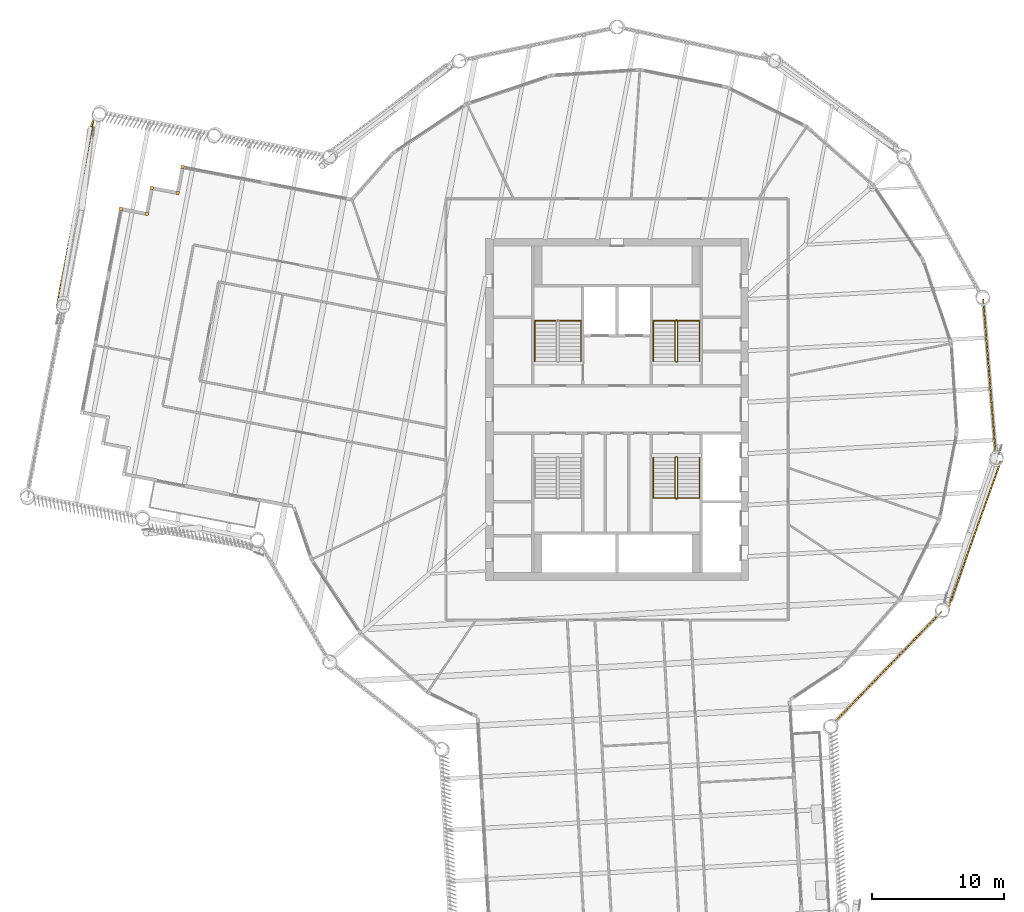
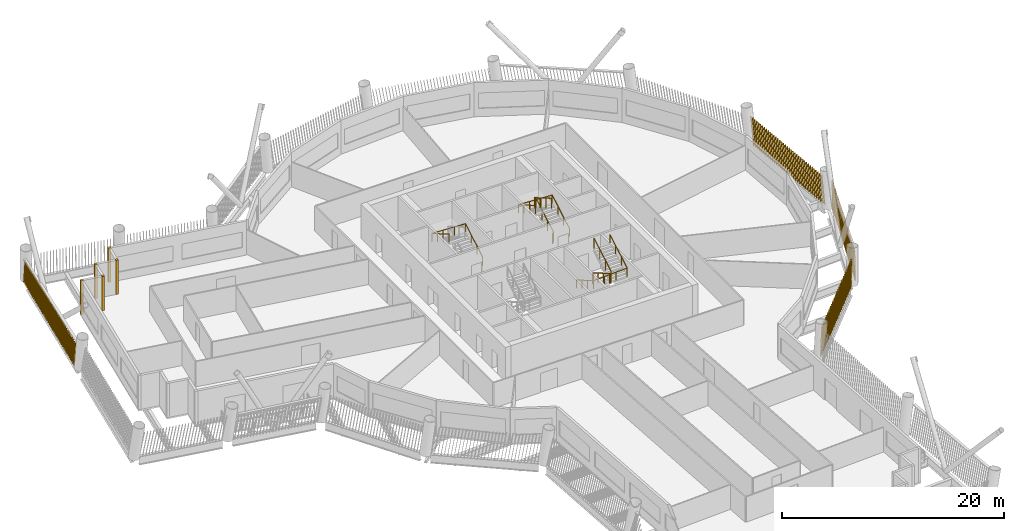
# One storey, part 21 of 23: 9 shading devices, 5 railings.
"""IFC4 building model written with IfcOpenShell, lengths in metres."""

from ifc_helpers import new_model, si_unit, direction, frame, frame_2d, origin, origin_2d, place, context, subcontext, project, spatial, rectangle, circle, composite_profile, extrude, material, type_object, element, save


model = new_model("IFC4")

# Units and contexts
model_context = context("Model", 3, precision=1e-05, world=origin(), true_north=direction((0.0, 1.0)))
body_context = subcontext(model_context, "Body", "Model", "MODEL_VIEW")
ifc_project = project(units=[si_unit("LENGTHUNIT", "METRE"), si_unit("AREAUNIT", "SQUARE_METRE"), si_unit("VOLUMEUNIT", "CUBIC_METRE"), si_unit("PLANEANGLEUNIT", "RADIAN"), si_unit("MASSUNIT", "GRAM", prefix="KILO")], contexts=[model_context])

# Site, building, storey
site_placement = place(None, origin())
site = spatial("IfcSite", under=ifc_project, at=site_placement, CompositionType="ELEMENT")
building_placement = place(site_placement, origin())
building = spatial("IfcBuilding", under=site, at=building_placement, Name="Tarsis Ring Headquarters", CompositionType="ELEMENT")
storey_placement = place(building_placement, frame((0.0, 0.0, 239.39990234375)))
storey = spatial("IfcBuildingStorey", under=building, at=storey_placement, Name="L56", CompositionType="ELEMENT", Elevation=239.39990234375)

# Railings
ifc_material_1 = material(Name="Steel S355", Category="steel")
railing_type_1 = type_object("IfcRailingType", Name="Core stair guard 1100", PredefinedType="GUARDRAIL", material=ifc_material_1)
railing_1_placement = place(storey_placement, frame((4.4599609375, 3.610107421875, 0.0)))
element("IfcRailing", 1, at=railing_1_placement, inside=storey, type_object=railing_type_1, Name="L56 ST2 stair guard 1", PredefinedType="GUARDRAIL", context=body_context, shape_type="SweptSolid", body=[
    extrude(circle(Radius=0.02392578125, at=origin_2d()), frame((0.0, 0.0, 1.076171875), z_axis=(1.0, 0.0, 0.0), x_axis=(0.0, 1.0, 0.0)), (0.0, 0.0, 1.0), 0.080078125),
    extrude(circle(Radius=0.02392578125, at=origin_2d()), frame((0.080078125, 0.0, 1.076171875), z_axis=(0.282336740067, 0.280959487676, 0.917250092119), x_axis=(-0.705375805398, 0.708833529934, 0.0)), (0.0, 0.0, 1.0), 0.17724609375),
    extrude(circle(Radius=0.02392578125, at=origin_2d()), frame((0.130126953125, 0.0498046875, 1.23876953125), z_axis=(0.0, 0.864890721111, 0.501960198159), x_axis=(-1.0, 0.0, 0.0)), (0.0, 0.0, 1.0), 3.561279296875),
    extrude(circle(Radius=0.02392578125, at=origin_2d()), frame((0.130126953125, 3.1298828125, 3.0263671875), z_axis=(-0.707106781187, 0.707106781187, 0.0), x_axis=(-0.707106781187, -0.707106781187, 0.0)), (0.0, 0.0, 1.0), 0.07080078125),
    extrude(circle(Radius=0.02392578125, at=origin_2d()), frame((0.080078125, 3.179931640625, 3.0263671875), z_axis=(-1.0, 0.0, 0.0), x_axis=(0.0, -1.0, 0.0)), (0.0, 0.0, 1.0), 0.080078125),
    extrude(circle(Radius=0.02392578125, at=origin_2d()), frame((0.0, 3.179931640625, 3.0263671875), z_axis=(-0.282583949758, -0.282583949758, 0.916674763849), x_axis=(0.707106781187, -0.707106781187, 0.0)), (0.0, 0.0, 1.0), 0.177001953125),
    extrude(circle(Radius=0.02392578125, at=origin_2d()), frame((-0.050048828125, 3.1298828125, 3.1884765625), z_axis=(0.0, -0.864890721111, 0.501960198159), x_axis=(1.0, 0.0, 0.0)), (0.0, 0.0, 1.0), 3.561279296875),
    extrude(circle(Radius=0.02099609375, at=origin_2d()), origin(), (0.0, 0.0, 1.0), 1.052001953125),
    extrude(circle(Radius=0.02099609375, at=origin_2d()), frame((0.080078125, 0.0, 0.0)), (0.0, 0.0, 1.0), 1.052001953125),
    extrude(circle(Radius=0.02099609375, at=origin_2d()), frame((0.130126953125, 0.0498046875, 0.16259765625)), (0.0, 0.0, 1.0), 1.052001953125),
    extrude(circle(Radius=0.02099609375, at=origin_2d()), frame((0.130126953125, 1.076416015625, 0.758544921875)), (0.0, 0.0, 1.0), 1.052001953125),
    extrude(circle(Radius=0.02099609375, at=origin_2d()), frame((0.130126953125, 2.103271484375, 1.354248046875)), (0.0, 0.0, 1.0), 1.052001953125),
    extrude(circle(Radius=0.02099609375, at=origin_2d()), frame((0.130126953125, 3.1298828125, 1.9501953125)), (0.0, 0.0, 1.0), 1.052001953125),
    extrude(circle(Radius=0.02099609375, at=origin_2d()), frame((0.080078125, 3.179931640625, 1.9501953125)), (0.0, 0.0, 1.0), 1.052001953125),
    extrude(circle(Radius=0.02099609375, at=origin_2d()), frame((0.0, 3.179931640625, 1.9501953125)), (0.0, 0.0, 1.0), 1.052001953125),
    extrude(circle(Radius=0.02099609375, at=origin_2d()), frame((-0.050048828125, 3.1298828125, 2.112548828125)), (0.0, 0.0, 1.0), 1.052001953125),
    extrude(circle(Radius=0.02099609375, at=origin_2d()), frame((-0.050048828125, 2.103271484375, 2.70849609375)), (0.0, 0.0, 1.0), 1.052001953125),
    extrude(circle(Radius=0.02099609375, at=origin_2d()), frame((-0.050048828125, 1.076416015625, 3.30419921875)), (0.0, 0.0, 1.0), 1.052001953125),
    extrude(circle(Radius=0.02099609375, at=origin_2d()), frame((-0.050048828125, 0.0498046875, 3.900146484375)), (0.0, 0.0, 1.0), 1.052001953125),
])
railing_2_placement = place(storey_placement, frame((4.5400390625, -3.610107421875, 0.0)))
element("IfcRailing", 2, at=railing_2_placement, inside=storey, type_object=railing_type_1, Name="L56 ST4 stair guard 1", PredefinedType="GUARDRAIL", context=body_context, shape_type="SweptSolid", body=[
    extrude(circle(Radius=0.02392578125, at=origin_2d()), frame((0.0, 0.0, 1.076171875), z_axis=(-1.0, 0.0, 0.0), x_axis=(0.0, -1.0, 0.0)), (0.0, 0.0, 1.0), 0.080078125),
    extrude(circle(Radius=0.02392578125, at=origin_2d()), frame((-0.080078125, 0.0, 1.076171875), z_axis=(-0.282336740067, -0.280959487676, 0.917250092119), x_axis=(0.705375805398, -0.708833529934, 0.0)), (0.0, 0.0, 1.0), 0.17724609375),
    extrude(circle(Radius=0.02392578125, at=origin_2d()), frame((-0.130126953125, -0.0498046875, 1.23876953125), z_axis=(0.0, -0.864890721111, 0.501960198159), x_axis=(1.0, 0.0, 0.0)), (0.0, 0.0, 1.0), 3.561279296875),
    extrude(circle(Radius=0.02392578125, at=origin_2d()), frame((-0.130126953125, -3.1298828125, 3.0263671875), z_axis=(0.707106781187, -0.707106781187, 0.0), x_axis=(0.707106781187, 0.707106781187, 0.0)), (0.0, 0.0, 1.0), 0.07080078125),
    extrude(circle(Radius=0.02392578125, at=origin_2d()), frame((-0.080078125, -3.179931640625, 3.0263671875), z_axis=(1.0, 0.0, 0.0), x_axis=(0.0, 1.0, 0.0)), (0.0, 0.0, 1.0), 0.080078125),
    extrude(circle(Radius=0.02392578125, at=origin_2d()), frame((0.0, -3.179931640625, 3.0263671875), z_axis=(0.282583949758, 0.282583949758, 0.916674763849), x_axis=(-0.707106781187, 0.707106781187, 0.0)), (0.0, 0.0, 1.0), 0.177001953125),
    extrude(circle(Radius=0.02392578125, at=origin_2d()), frame((0.050048828125, -3.1298828125, 3.1884765625), z_axis=(0.0, 0.864890721111, 0.501960198159), x_axis=(-1.0, 0.0, 0.0)), (0.0, 0.0, 1.0), 3.561279296875),
    extrude(circle(Radius=0.02099609375, at=origin_2d()), origin(), (0.0, 0.0, 1.0), 1.052001953125),
    extrude(circle(Radius=0.02099609375, at=origin_2d()), frame((-0.080078125, 0.0, 0.0)), (0.0, 0.0, 1.0), 1.052001953125),
    extrude(circle(Radius=0.02099609375, at=origin_2d()), frame((-0.130126953125, -0.0498046875, 0.16259765625)), (0.0, 0.0, 1.0), 1.052001953125),
    extrude(circle(Radius=0.02099609375, at=origin_2d()), frame((-0.130126953125, -1.076416015625, 0.758544921875)), (0.0, 0.0, 1.0), 1.052001953125),
    extrude(circle(Radius=0.02099609375, at=origin_2d()), frame((-0.130126953125, -2.103271484375, 1.354248046875)), (0.0, 0.0, 1.0), 1.052001953125),
    extrude(circle(Radius=0.02099609375, at=origin_2d()), frame((-0.130126953125, -3.1298828125, 1.9501953125)), (0.0, 0.0, 1.0), 1.052001953125),
    extrude(circle(Radius=0.02099609375, at=origin_2d()), frame((-0.080078125, -3.179931640625, 1.9501953125)), (0.0, 0.0, 1.0), 1.052001953125),
    extrude(circle(Radius=0.02099609375, at=origin_2d()), frame((0.0, -3.179931640625, 1.9501953125)), (0.0, 0.0, 1.0), 1.052001953125),
    extrude(circle(Radius=0.02099609375, at=origin_2d()), frame((0.050048828125, -3.1298828125, 2.112548828125)), (0.0, 0.0, 1.0), 1.052001953125),
    extrude(circle(Radius=0.02099609375, at=origin_2d()), frame((0.050048828125, -2.103271484375, 2.70849609375)), (0.0, 0.0, 1.0), 1.052001953125),
    extrude(circle(Radius=0.02099609375, at=origin_2d()), frame((0.050048828125, -1.076416015625, 3.30419921875)), (0.0, 0.0, 1.0), 1.052001953125),
    extrude(circle(Radius=0.02099609375, at=origin_2d()), frame((0.050048828125, -0.0498046875, 3.900146484375)), (0.0, 0.0, 1.0), 1.052001953125),
])
railing_type_2 = type_object("IfcRailingType", Name="Core stair handrail 900", PredefinedType="HANDRAIL", material=ifc_material_1)
railing_3_placement = place(storey_placement, frame((-2.75, 3.659912109375, 0.16259765625)))
element("IfcRailing", 3, at=railing_3_placement, inside=storey, type_object=railing_type_2, Name="L56 ST1 stair handrail 1", PredefinedType="HANDRAIL", context=body_context, shape_type="SweptSolid", body=[
    extrude(circle(Radius=0.02392578125, at=origin_2d()), frame((0.0, 0.0, 0.8759765625), z_axis=(0.0, 0.864890721111, 0.501960198159), x_axis=(-1.0, 0.0, 0.0)), (0.0, 0.0, 1.0), 3.561279296875),
    extrude(circle(Radius=0.02392578125, at=origin_2d()), frame((0.0, 3.080078125, 2.66357421875), z_axis=(-0.998925869279, 0.0, 0.04633689335), x_axis=(0.0, -1.0, 0.0)), (0.0, 0.0, 1.0), 3.503662109375),
    extrude(circle(Radius=0.02392578125, at=origin_2d()), frame((-3.5, 3.080078125, 2.82568359375), z_axis=(0.0, -0.864890721111, 0.501960198159), x_axis=(1.0, 0.0, 0.0)), (0.0, 0.0, 1.0), 3.561279296875),
    extrude(circle(Radius=0.02099609375, at=origin_2d()), origin(), (0.0, 0.0, 1.0), 0.851806640625),
    extrude(circle(Radius=0.02099609375, at=origin_2d()), frame((0.0, 1.026611328125, 0.595947265625)), (0.0, 0.0, 1.0), 0.851806640625),
    extrude(circle(Radius=0.02099609375, at=origin_2d()), frame((0.0, 2.053466796875, 1.191650390625)), (0.0, 0.0, 1.0), 0.851806640625),
    extrude(circle(Radius=0.02099609375, at=origin_2d()), frame((0.0, 3.080078125, 1.78759765625)), (0.0, 0.0, 1.0), 0.851806640625),
    extrude(circle(Radius=0.02099609375, at=origin_2d()), frame((-1.166748046875, 3.080078125, 1.841796875)), (0.0, 0.0, 1.0), 0.851806640625),
    extrude(circle(Radius=0.02099609375, at=origin_2d()), frame((-2.333251953125, 3.080078125, 1.895751953125)), (0.0, 0.0, 1.0), 0.851806640625),
    extrude(circle(Radius=0.02099609375, at=origin_2d()), frame((-3.5, 3.080078125, 1.949951171875)), (0.0, 0.0, 1.0), 0.851806640625),
    extrude(circle(Radius=0.02099609375, at=origin_2d()), frame((-3.5, 2.053466796875, 2.5458984375)), (0.0, 0.0, 1.0), 0.851806640625),
    extrude(circle(Radius=0.02099609375, at=origin_2d()), frame((-3.5, 1.026611328125, 3.1416015625)), (0.0, 0.0, 1.0), 0.851806640625),
    extrude(circle(Radius=0.02099609375, at=origin_2d()), frame((-3.5, 0.0, 3.737548828125)), (0.0, 0.0, 1.0), 0.851806640625),
])
railing_4_placement = place(storey_placement, frame((6.25, 3.659912109375, 0.16259765625)))
element("IfcRailing", 4, at=railing_4_placement, inside=storey, type_object=railing_type_2, Name="L56 ST2 stair handrail 1", PredefinedType="HANDRAIL", context=body_context, shape_type="SweptSolid", body=[
    extrude(circle(Radius=0.02392578125, at=origin_2d()), frame((0.0, 0.0, 0.8759765625), z_axis=(0.0, 0.864890721111, 0.501960198159), x_axis=(-1.0, 0.0, 0.0)), (0.0, 0.0, 1.0), 3.561279296875),
    extrude(circle(Radius=0.02392578125, at=origin_2d()), frame((0.0, 3.080078125, 2.66357421875), z_axis=(-0.998925869279, 0.0, 0.04633689335), x_axis=(0.0, -1.0, 0.0)), (0.0, 0.0, 1.0), 3.503662109375),
    extrude(circle(Radius=0.02392578125, at=origin_2d()), frame((-3.5, 3.080078125, 2.82568359375), z_axis=(0.0, -0.864890721111, 0.501960198159), x_axis=(1.0, 0.0, 0.0)), (0.0, 0.0, 1.0), 3.561279296875),
    extrude(circle(Radius=0.02099609375, at=origin_2d()), origin(), (0.0, 0.0, 1.0), 0.851806640625),
    extrude(circle(Radius=0.02099609375, at=origin_2d()), frame((0.0, 1.026611328125, 0.595947265625)), (0.0, 0.0, 1.0), 0.851806640625),
    extrude(circle(Radius=0.02099609375, at=origin_2d()), frame((0.0, 2.053466796875, 1.191650390625)), (0.0, 0.0, 1.0), 0.851806640625),
    extrude(circle(Radius=0.02099609375, at=origin_2d()), frame((0.0, 3.080078125, 1.78759765625)), (0.0, 0.0, 1.0), 0.851806640625),
    extrude(circle(Radius=0.02099609375, at=origin_2d()), frame((-1.166748046875, 3.080078125, 1.841796875)), (0.0, 0.0, 1.0), 0.851806640625),
    extrude(circle(Radius=0.02099609375, at=origin_2d()), frame((-2.333251953125, 3.080078125, 1.895751953125)), (0.0, 0.0, 1.0), 0.851806640625),
    extrude(circle(Radius=0.02099609375, at=origin_2d()), frame((-3.5, 3.080078125, 1.949951171875)), (0.0, 0.0, 1.0), 0.851806640625),
    extrude(circle(Radius=0.02099609375, at=origin_2d()), frame((-3.5, 2.053466796875, 2.5458984375)), (0.0, 0.0, 1.0), 0.851806640625),
    extrude(circle(Radius=0.02099609375, at=origin_2d()), frame((-3.5, 1.026611328125, 3.1416015625)), (0.0, 0.0, 1.0), 0.851806640625),
    extrude(circle(Radius=0.02099609375, at=origin_2d()), frame((-3.5, 0.0, 3.737548828125)), (0.0, 0.0, 1.0), 0.851806640625),
])
railing_5_placement = place(storey_placement, frame((2.75, -3.659912109375, 0.16259765625)))
element("IfcRailing", 5, at=railing_5_placement, inside=storey, type_object=railing_type_2, Name="L56 ST4 stair handrail 1", PredefinedType="HANDRAIL", context=body_context, shape_type="SweptSolid", body=[
    extrude(circle(Radius=0.02392578125, at=origin_2d()), frame((0.0, 0.0, 0.8759765625), z_axis=(0.0, -0.864890721111, 0.501960198159), x_axis=(1.0, 0.0, 0.0)), (0.0, 0.0, 1.0), 3.561279296875),
    extrude(circle(Radius=0.02392578125, at=origin_2d()), frame((0.0, -3.080078125, 2.66357421875), z_axis=(0.998925869279, 0.0, 0.04633689335), x_axis=(0.0, 1.0, 0.0)), (0.0, 0.0, 1.0), 3.503662109375),
    extrude(circle(Radius=0.02392578125, at=origin_2d()), frame((3.5, -3.080078125, 2.82568359375), z_axis=(0.0, 0.864890721111, 0.501960198159), x_axis=(-1.0, 0.0, 0.0)), (0.0, 0.0, 1.0), 3.561279296875),
    extrude(circle(Radius=0.02099609375, at=origin_2d()), origin(), (0.0, 0.0, 1.0), 0.851806640625),
    extrude(circle(Radius=0.02099609375, at=origin_2d()), frame((0.0, -1.026611328125, 0.595947265625)), (0.0, 0.0, 1.0), 0.851806640625),
    extrude(circle(Radius=0.02099609375, at=origin_2d()), frame((0.0, -2.053466796875, 1.191650390625)), (0.0, 0.0, 1.0), 0.851806640625),
    extrude(circle(Radius=0.02099609375, at=origin_2d()), frame((0.0, -3.080078125, 1.78759765625)), (0.0, 0.0, 1.0), 0.851806640625),
    extrude(circle(Radius=0.02099609375, at=origin_2d()), frame((1.166748046875, -3.080078125, 1.841796875)), (0.0, 0.0, 1.0), 0.851806640625),
    extrude(circle(Radius=0.02099609375, at=origin_2d()), frame((2.333251953125, -3.080078125, 1.895751953125)), (0.0, 0.0, 1.0), 0.851806640625),
    extrude(circle(Radius=0.02099609375, at=origin_2d()), frame((3.5, -3.080078125, 1.949951171875)), (0.0, 0.0, 1.0), 0.851806640625),
    extrude(circle(Radius=0.02099609375, at=origin_2d()), frame((3.5, -2.053466796875, 2.5458984375)), (0.0, 0.0, 1.0), 0.851806640625),
    extrude(circle(Radius=0.02099609375, at=origin_2d()), frame((3.5, -1.026611328125, 3.1416015625)), (0.0, 0.0, 1.0), 0.851806640625),
    extrude(circle(Radius=0.02099609375, at=origin_2d()), frame((3.5, 0.0, 3.737548828125)), (0.0, 0.0, 1.0), 0.851806640625),
])

# Shading devices
ifc_material_2 = material(Name="Terracotta baguette", Category="masonry")
shading_device_type_1 = type_object("IfcShadingDeviceType", Name="Terracotta baguette screen", PredefinedType="USERDEFINED", material=ifc_material_2)
shading_device_1_placement = place(storey_placement, frame((16.5029296875, -23.7822265625, 0.0), z_axis=(0.0, 0.0, 1.0), x_axis=(0.695149213239, 0.718871405317, 0.0)))
element("IfcShadingDevice", 6, at=shading_device_1_placement, inside=storey, type_object=shading_device_type_1, Name="Baguette screen L56-07", ObjectType="Terracotta baguette screen", PredefinedType="USERDEFINED", context=body_context, shape_type="SweptSolid", body=[
    extrude(composite_profile([rectangle(XDim=0.06005859375, YDim=0.1201171875, at=frame_2d((0.030029296875, 0.0))), rectangle(XDim=0.06005859375, YDim=0.1201171875, at=frame_2d((0.33251953125, 0.0))), rectangle(XDim=0.06005859375, YDim=0.1201171875, at=frame_2d((0.634765625, 0.0))), rectangle(XDim=0.06005859375, YDim=0.1201171875, at=frame_2d((0.937255859375, 0.0))), rectangle(XDim=0.06005859375, YDim=0.1201171875, at=frame_2d((1.239501953125, 0.0))), rectangle(XDim=0.06005859375, YDim=0.1201171875, at=frame_2d((1.5419921875, 0.0))), rectangle(XDim=0.06005859375, YDim=0.1201171875, at=frame_2d((1.844482421875, 0.0))), rectangle(XDim=0.06005859375, YDim=0.1201171875, at=frame_2d((2.146728515625, 0.0))), rectangle(XDim=0.06005859375, YDim=0.1201171875, at=frame_2d((2.44921875, 0.0))), rectangle(XDim=0.06005859375, YDim=0.1201171875, at=frame_2d((2.751708984375, 0.0))), rectangle(XDim=0.06005859375, YDim=0.1201171875, at=frame_2d((3.053955078125, 0.0))), rectangle(XDim=0.06005859375, YDim=0.1201171875, at=frame_2d((3.3564453125, 0.0))), rectangle(XDim=0.06005859375, YDim=0.1201171875, at=frame_2d((3.65869140625, 0.0))), rectangle(XDim=0.06005859375, YDim=0.1201171875, at=frame_2d((3.961181640625, 0.0))), rectangle(XDim=0.06005859375, YDim=0.1201171875, at=frame_2d((4.263671875, 0.0))), rectangle(XDim=0.06005859375, YDim=0.1201171875, at=frame_2d((4.56591796875, 0.0))), rectangle(XDim=0.06005859375, YDim=0.1201171875, at=frame_2d((4.868408203125, 0.0))), rectangle(XDim=0.06005859375, YDim=0.1201171875, at=frame_2d((5.1708984375, 0.0))), rectangle(XDim=0.06005859375, YDim=0.1201171875, at=frame_2d((5.47314453125, 0.0))), rectangle(XDim=0.06005859375, YDim=0.1201171875, at=frame_2d((5.775634765625, 0.0))), rectangle(XDim=0.06005859375, YDim=0.1201171875, at=frame_2d((6.077880859375, 0.0))), rectangle(XDim=0.06005859375, YDim=0.1201171875, at=frame_2d((6.38037109375, 0.0))), rectangle(XDim=0.06005859375, YDim=0.1201171875, at=frame_2d((6.682861328125, 0.0))), rectangle(XDim=0.06005859375, YDim=0.1201171875, at=frame_2d((6.985107421875, 0.0))), rectangle(XDim=0.06005859375, YDim=0.1201171875, at=frame_2d((7.28759765625, 0.0))), rectangle(XDim=0.06005859375, YDim=0.1201171875, at=frame_2d((7.590087890625, 0.0))), rectangle(XDim=0.06005859375, YDim=0.1201171875, at=frame_2d((7.892333984375, 0.0))), rectangle(XDim=0.06005859375, YDim=0.1201171875, at=frame_2d((8.19482421875, 0.0))), rectangle(XDim=0.06005859375, YDim=0.1201171875, at=frame_2d((8.4970703125, 0.0))), rectangle(XDim=0.06005859375, YDim=0.1201171875, at=frame_2d((8.799560546875, 0.0))), rectangle(XDim=0.06005859375, YDim=0.1201171875, at=frame_2d((9.10205078125, 0.0))), rectangle(XDim=0.06005859375, YDim=0.1201171875, at=frame_2d((9.404296875, 0.0))), rectangle(XDim=0.06005859375, YDim=0.1201171875, at=frame_2d((9.706787109375, 0.0))), rectangle(XDim=0.06005859375, YDim=0.1201171875, at=frame_2d((10.00927734375, 0.0))), rectangle(XDim=0.06005859375, YDim=0.1201171875, at=frame_2d((10.3115234375, 0.0))), rectangle(XDim=0.06005859375, YDim=0.1201171875, at=frame_2d((10.614013671875, 0.0))), rectangle(XDim=0.06005859375, YDim=0.1201171875, at=frame_2d((10.916259765625, 0.0))), rectangle(XDim=0.06005859375, YDim=0.1201171875, at=frame_2d((11.21875, 0.0)))]), origin(), (0.159203841216, 0.001334102176, 0.987244831394), 2.98828125),
])
shading_device_2_placement = place(storey_placement, frame((25.191650390625, -14.991943359375, 0.0), z_axis=(0.0, 0.0, 1.0), x_axis=(0.337037438958, 0.941486706457, 0.0)))
element("IfcShadingDevice", 7, at=shading_device_2_placement, inside=storey, type_object=shading_device_type_1, Name="Baguette screen L56-08", ObjectType="Terracotta baguette screen", PredefinedType="USERDEFINED", context=body_context, shape_type="SweptSolid", body=[
    extrude(composite_profile([rectangle(XDim=0.06005859375, YDim=0.1201171875, at=frame_2d((0.030029296875, 0.0))), rectangle(XDim=0.06005859375, YDim=0.1201171875, at=frame_2d((0.33251953125, 0.0))), rectangle(XDim=0.06005859375, YDim=0.1201171875, at=frame_2d((0.634765625, 0.0))), rectangle(XDim=0.06005859375, YDim=0.1201171875, at=frame_2d((0.937255859375, 0.0))), rectangle(XDim=0.06005859375, YDim=0.1201171875, at=frame_2d((1.239501953125, 0.0))), rectangle(XDim=0.06005859375, YDim=0.1201171875, at=frame_2d((1.5419921875, 0.0))), rectangle(XDim=0.06005859375, YDim=0.1201171875, at=frame_2d((1.844482421875, 0.0))), rectangle(XDim=0.06005859375, YDim=0.1201171875, at=frame_2d((2.146728515625, 0.0))), rectangle(XDim=0.06005859375, YDim=0.1201171875, at=frame_2d((2.44921875, 0.0))), rectangle(XDim=0.06005859375, YDim=0.1201171875, at=frame_2d((2.751708984375, 0.0))), rectangle(XDim=0.06005859375, YDim=0.1201171875, at=frame_2d((3.053955078125, 0.0))), rectangle(XDim=0.06005859375, YDim=0.1201171875, at=frame_2d((3.3564453125, 0.0))), rectangle(XDim=0.06005859375, YDim=0.1201171875, at=frame_2d((3.65869140625, 0.0))), rectangle(XDim=0.06005859375, YDim=0.1201171875, at=frame_2d((3.961181640625, 0.0))), rectangle(XDim=0.06005859375, YDim=0.1201171875, at=frame_2d((4.263671875, 0.0))), rectangle(XDim=0.06005859375, YDim=0.1201171875, at=frame_2d((4.56591796875, 0.0))), rectangle(XDim=0.06005859375, YDim=0.1201171875, at=frame_2d((4.868408203125, 0.0))), rectangle(XDim=0.06005859375, YDim=0.1201171875, at=frame_2d((5.1708984375, 0.0))), rectangle(XDim=0.06005859375, YDim=0.1201171875, at=frame_2d((5.47314453125, 0.0))), rectangle(XDim=0.06005859375, YDim=0.1201171875, at=frame_2d((5.775634765625, 0.0))), rectangle(XDim=0.06005859375, YDim=0.1201171875, at=frame_2d((6.077880859375, 0.0))), rectangle(XDim=0.06005859375, YDim=0.1201171875, at=frame_2d((6.38037109375, 0.0))), rectangle(XDim=0.06005859375, YDim=0.1201171875, at=frame_2d((6.682861328125, 0.0))), rectangle(XDim=0.06005859375, YDim=0.1201171875, at=frame_2d((6.985107421875, 0.0))), rectangle(XDim=0.06005859375, YDim=0.1201171875, at=frame_2d((7.28759765625, 0.0))), rectangle(XDim=0.06005859375, YDim=0.1201171875, at=frame_2d((7.590087890625, 0.0))), rectangle(XDim=0.06005859375, YDim=0.1201171875, at=frame_2d((7.892333984375, 0.0))), rectangle(XDim=0.06005859375, YDim=0.1201171875, at=frame_2d((8.19482421875, 0.0))), rectangle(XDim=0.06005859375, YDim=0.1201171875, at=frame_2d((8.4970703125, 0.0))), rectangle(XDim=0.06005859375, YDim=0.1201171875, at=frame_2d((8.799560546875, 0.0))), rectangle(XDim=0.06005859375, YDim=0.1201171875, at=frame_2d((9.10205078125, 0.0))), rectangle(XDim=0.06005859375, YDim=0.1201171875, at=frame_2d((9.404296875, 0.0))), rectangle(XDim=0.06005859375, YDim=0.1201171875, at=frame_2d((9.706787109375, 0.0))), rectangle(XDim=0.06005859375, YDim=0.1201171875, at=frame_2d((10.00927734375, 0.0))), rectangle(XDim=0.06005859375, YDim=0.1201171875, at=frame_2d((10.3115234375, 0.0))), rectangle(XDim=0.06005859375, YDim=0.1201171875, at=frame_2d((10.614013671875, 0.0))), rectangle(XDim=0.06005859375, YDim=0.1201171875, at=frame_2d((10.916259765625, 0.0))), rectangle(XDim=0.06005859375, YDim=0.1201171875, at=frame_2d((11.21875, 0.0)))]), origin(), (0.161250928606, 0.001351836626, 0.986912514138), 2.9892578125),
])
shading_device_3_placement = place(storey_placement, frame((28.7578125, -3.305908203125, 0.0), z_axis=(0.0, 0.0, 1.0), x_axis=(-0.080998372219, 0.996722734672, 0.0)))
element("IfcShadingDevice", 8, at=shading_device_3_placement, inside=storey, type_object=shading_device_type_1, Name="Baguette screen L56-09", ObjectType="Terracotta baguette screen", PredefinedType="USERDEFINED", context=body_context, shape_type="SweptSolid", body=[
    extrude(composite_profile([rectangle(XDim=0.06005859375, YDim=0.1201171875, at=frame_2d((0.030029296875, 0.0))), rectangle(XDim=0.06005859375, YDim=0.1201171875, at=frame_2d((0.33251953125, 0.0))), rectangle(XDim=0.06005859375, YDim=0.1201171875, at=frame_2d((0.634765625, 0.0))), rectangle(XDim=0.06005859375, YDim=0.1201171875, at=frame_2d((0.937255859375, 0.0))), rectangle(XDim=0.06005859375, YDim=0.1201171875, at=frame_2d((1.239501953125, 0.0))), rectangle(XDim=0.06005859375, YDim=0.1201171875, at=frame_2d((1.5419921875, 0.0))), rectangle(XDim=0.06005859375, YDim=0.1201171875, at=frame_2d((1.844482421875, 0.0))), rectangle(XDim=0.06005859375, YDim=0.1201171875, at=frame_2d((2.146728515625, 0.0))), rectangle(XDim=0.06005859375, YDim=0.1201171875, at=frame_2d((2.44921875, 0.0))), rectangle(XDim=0.06005859375, YDim=0.1201171875, at=frame_2d((2.751708984375, 0.0))), rectangle(XDim=0.06005859375, YDim=0.1201171875, at=frame_2d((3.053955078125, 0.0))), rectangle(XDim=0.06005859375, YDim=0.1201171875, at=frame_2d((3.3564453125, 0.0))), rectangle(XDim=0.06005859375, YDim=0.1201171875, at=frame_2d((3.65869140625, 0.0))), rectangle(XDim=0.06005859375, YDim=0.1201171875, at=frame_2d((3.961181640625, 0.0))), rectangle(XDim=0.06005859375, YDim=0.1201171875, at=frame_2d((4.263671875, 0.0))), rectangle(XDim=0.06005859375, YDim=0.1201171875, at=frame_2d((4.56591796875, 0.0))), rectangle(XDim=0.06005859375, YDim=0.1201171875, at=frame_2d((4.868408203125, 0.0))), rectangle(XDim=0.06005859375, YDim=0.1201171875, at=frame_2d((5.1708984375, 0.0))), rectangle(XDim=0.06005859375, YDim=0.1201171875, at=frame_2d((5.47314453125, 0.0))), rectangle(XDim=0.06005859375, YDim=0.1201171875, at=frame_2d((5.775634765625, 0.0))), rectangle(XDim=0.06005859375, YDim=0.1201171875, at=frame_2d((6.077880859375, 0.0))), rectangle(XDim=0.06005859375, YDim=0.1201171875, at=frame_2d((6.38037109375, 0.0))), rectangle(XDim=0.06005859375, YDim=0.1201171875, at=frame_2d((6.682861328125, 0.0))), rectangle(XDim=0.06005859375, YDim=0.1201171875, at=frame_2d((6.985107421875, 0.0))), rectangle(XDim=0.06005859375, YDim=0.1201171875, at=frame_2d((7.28759765625, 0.0))), rectangle(XDim=0.06005859375, YDim=0.1201171875, at=frame_2d((7.590087890625, 0.0))), rectangle(XDim=0.06005859375, YDim=0.1201171875, at=frame_2d((7.892333984375, 0.0))), rectangle(XDim=0.06005859375, YDim=0.1201171875, at=frame_2d((8.19482421875, 0.0))), rectangle(XDim=0.06005859375, YDim=0.1201171875, at=frame_2d((8.4970703125, 0.0))), rectangle(XDim=0.06005859375, YDim=0.1201171875, at=frame_2d((8.799560546875, 0.0))), rectangle(XDim=0.06005859375, YDim=0.1201171875, at=frame_2d((9.10205078125, 0.0))), rectangle(XDim=0.06005859375, YDim=0.1201171875, at=frame_2d((9.404296875, 0.0))), rectangle(XDim=0.06005859375, YDim=0.1201171875, at=frame_2d((9.706787109375, 0.0))), rectangle(XDim=0.06005859375, YDim=0.1201171875, at=frame_2d((10.00927734375, 0.0))), rectangle(XDim=0.06005859375, YDim=0.1201171875, at=frame_2d((10.3115234375, 0.0))), rectangle(XDim=0.06005859375, YDim=0.1201171875, at=frame_2d((10.614013671875, 0.0))), rectangle(XDim=0.06005859375, YDim=0.1201171875, at=frame_2d((10.916259765625, 0.0))), rectangle(XDim=0.06005859375, YDim=0.1201171875, at=frame_2d((11.21875, 0.0)))]), origin(), (0.159204675866, 0.00133471726, 0.987244695966), 2.98828125),
])
shading_device_4_placement = place(storey_placement, frame((-39.71533203125, 22.16455078125, 0.0), z_axis=(0.0, 0.0, 1.0), x_axis=(-0.188058381247, -0.982149491375, 0.0)))
element("IfcShadingDevice", 9, at=shading_device_4_placement, inside=storey, type_object=shading_device_type_1, Name="Baguette screen L56-17", ObjectType="Terracotta baguette screen", PredefinedType="USERDEFINED", context=body_context, shape_type="SweptSolid", body=[
    extrude(composite_profile([rectangle(XDim=0.06005859375, YDim=0.1201171875, at=frame_2d((0.030029296875, 0.0))), rectangle(XDim=0.06005859375, YDim=0.1201171875, at=frame_2d((0.33544921875, 0.0))), rectangle(XDim=0.06005859375, YDim=0.1201171875, at=frame_2d((0.640625, 0.0))), rectangle(XDim=0.06005859375, YDim=0.1201171875, at=frame_2d((0.946044921875, 0.0))), rectangle(XDim=0.06005859375, YDim=0.1201171875, at=frame_2d((1.25146484375, 0.0))), rectangle(XDim=0.06005859375, YDim=0.1201171875, at=frame_2d((1.556640625, 0.0))), rectangle(XDim=0.06005859375, YDim=0.1201171875, at=frame_2d((1.862060546875, 0.0))), rectangle(XDim=0.06005859375, YDim=0.1201171875, at=frame_2d((2.16748046875, 0.0))), rectangle(XDim=0.06005859375, YDim=0.1201171875, at=frame_2d((2.47265625, 0.0))), rectangle(XDim=0.06005859375, YDim=0.1201171875, at=frame_2d((2.778076171875, 0.0))), rectangle(XDim=0.06005859375, YDim=0.1201171875, at=frame_2d((3.08349609375, 0.0))), rectangle(XDim=0.06005859375, YDim=0.1201171875, at=frame_2d((3.388671875, 0.0))), rectangle(XDim=0.06005859375, YDim=0.1201171875, at=frame_2d((3.694091796875, 0.0))), rectangle(XDim=0.06005859375, YDim=0.1201171875, at=frame_2d((3.99951171875, 0.0))), rectangle(XDim=0.06005859375, YDim=0.1201171875, at=frame_2d((4.3046875, 0.0))), rectangle(XDim=0.06005859375, YDim=0.1201171875, at=frame_2d((4.610107421875, 0.0))), rectangle(XDim=0.06005859375, YDim=0.1201171875, at=frame_2d((4.91552734375, 0.0))), rectangle(XDim=0.06005859375, YDim=0.1201171875, at=frame_2d((5.220703125, 0.0))), rectangle(XDim=0.06005859375, YDim=0.1201171875, at=frame_2d((5.526123046875, 0.0))), rectangle(XDim=0.06005859375, YDim=0.1201171875, at=frame_2d((5.83154296875, 0.0))), rectangle(XDim=0.06005859375, YDim=0.1201171875, at=frame_2d((6.13671875, 0.0))), rectangle(XDim=0.06005859375, YDim=0.1201171875, at=frame_2d((6.442138671875, 0.0))), rectangle(XDim=0.06005859375, YDim=0.1201171875, at=frame_2d((6.74755859375, 0.0))), rectangle(XDim=0.06005859375, YDim=0.1201171875, at=frame_2d((7.052734375, 0.0))), rectangle(XDim=0.06005859375, YDim=0.1201171875, at=frame_2d((7.358154296875, 0.0))), rectangle(XDim=0.06005859375, YDim=0.1201171875, at=frame_2d((7.66357421875, 0.0))), rectangle(XDim=0.06005859375, YDim=0.1201171875, at=frame_2d((7.96875, 0.0))), rectangle(XDim=0.06005859375, YDim=0.1201171875, at=frame_2d((8.274169921875, 0.0))), rectangle(XDim=0.06005859375, YDim=0.1201171875, at=frame_2d((8.57958984375, 0.0))), rectangle(XDim=0.06005859375, YDim=0.1201171875, at=frame_2d((8.884765625, 0.0))), rectangle(XDim=0.06005859375, YDim=0.1201171875, at=frame_2d((9.190185546875, 0.0))), rectangle(XDim=0.06005859375, YDim=0.1201171875, at=frame_2d((9.49560546875, 0.0))), rectangle(XDim=0.06005859375, YDim=0.1201171875, at=frame_2d((9.80078125, 0.0))), rectangle(XDim=0.06005859375, YDim=0.1201171875, at=frame_2d((10.106201171875, 0.0))), rectangle(XDim=0.06005859375, YDim=0.1201171875, at=frame_2d((10.41162109375, 0.0))), rectangle(XDim=0.06005859375, YDim=0.1201171875, at=frame_2d((10.716796875, 0.0))), rectangle(XDim=0.06005859375, YDim=0.1201171875, at=frame_2d((11.022216796875, 0.0))), rectangle(XDim=0.06005859375, YDim=0.1201171875, at=frame_2d((11.32763671875, 0.0))), rectangle(XDim=0.06005859375, YDim=0.1201171875, at=frame_2d((11.6328125, 0.0))), rectangle(XDim=0.06005859375, YDim=0.1201171875, at=frame_2d((11.938232421875, 0.0))), rectangle(XDim=0.06005859375, YDim=0.1201171875, at=frame_2d((12.24365234375, 0.0))), rectangle(XDim=0.06005859375, YDim=0.1201171875, at=frame_2d((12.548828125, 0.0))), rectangle(XDim=0.06005859375, YDim=0.1201171875, at=frame_2d((12.854248046875, 0.0))), rectangle(XDim=0.06005859375, YDim=0.1201171875, at=frame_2d((13.15966796875, 0.0))), rectangle(XDim=0.06005859375, YDim=0.1201171875, at=frame_2d((13.46484375, 0.0))), rectangle(XDim=0.06005859375, YDim=0.1201171875, at=frame_2d((13.770263671875, 0.0)))]), origin(), (0.238281070137, -0.038789914039, 0.970421286959), 3.0400390625),
])
shading_device_type_2 = type_object("IfcShadingDeviceType", Name="Terracotta corner baguette 250x250", PredefinedType="USERDEFINED", material=ifc_material_2)
for number, where, z_axis, x_axis, name in (
    (10, (-33.00146484375, 18.409912109375, 0.0), (0.0, 0.0, 1.0), (-0.982156194526, 0.188067034735, 0.0), "Corner baguette L56-32"),
    (11, (-33.377685546875, 16.44580078125, 0.0), (0.0, 0.0, 1.0), (-0.188066949026, -0.982156210938, 0.0), "Corner baguette L56-33"),
    (12, (-35.342041015625, 16.82177734375, 0.0), (0.0, 0.0, 1.0), (-0.982156194526, 0.188067034735, 0.0), "Corner baguette L56-34"),
    (13, (-35.718017578125, 14.857421875, 0.0), (0.0, 0.0, 1.0), (-0.188067034735, -0.982156194526, 0.0), "Corner baguette L56-35"),
    (14, (-37.682373046875, 15.233642578125, 0.0), (0.0, 0.0, 1.0), (-0.982156210938, 0.188066949026, 0.0), "Corner baguette L56-36"),
):
    element("IfcShadingDevice", number, at=place(storey_placement, frame(where, z_axis=z_axis, x_axis=x_axis)), inside=storey, type_object=shading_device_type_2, Name=name, ObjectType="Terracotta corner baguette", PredefinedType="USERDEFINED", context=body_context, shape_type="SweptSolid", body=[
        extrude(rectangle(XDim=0.25, YDim=0.25, at=origin_2d()), origin(), (0.0, 0.0, 1.0), 3.739990234375),
    ])

save(model, "model.ifc")
